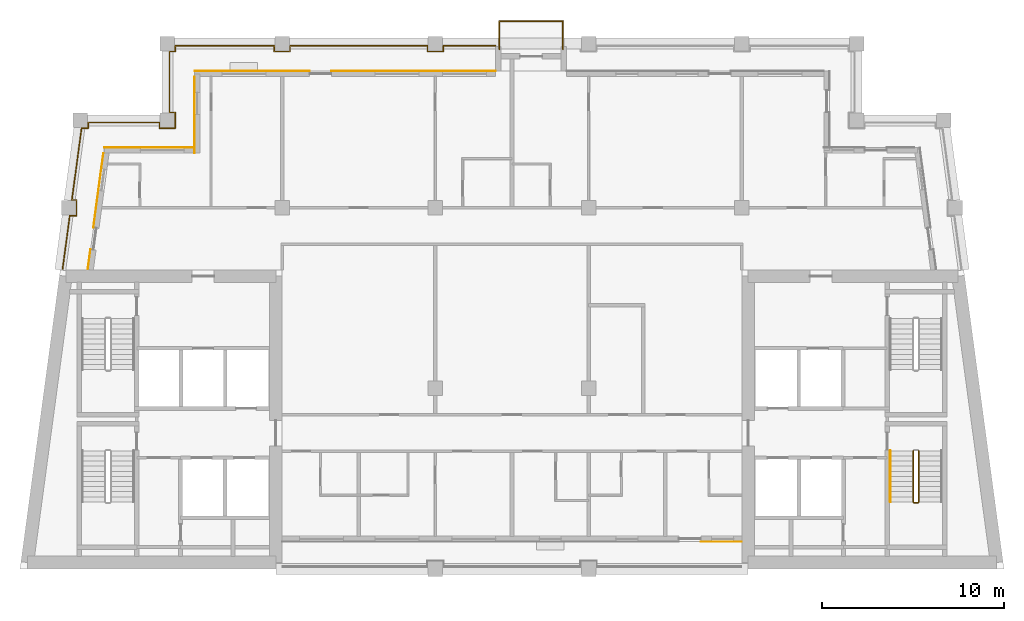
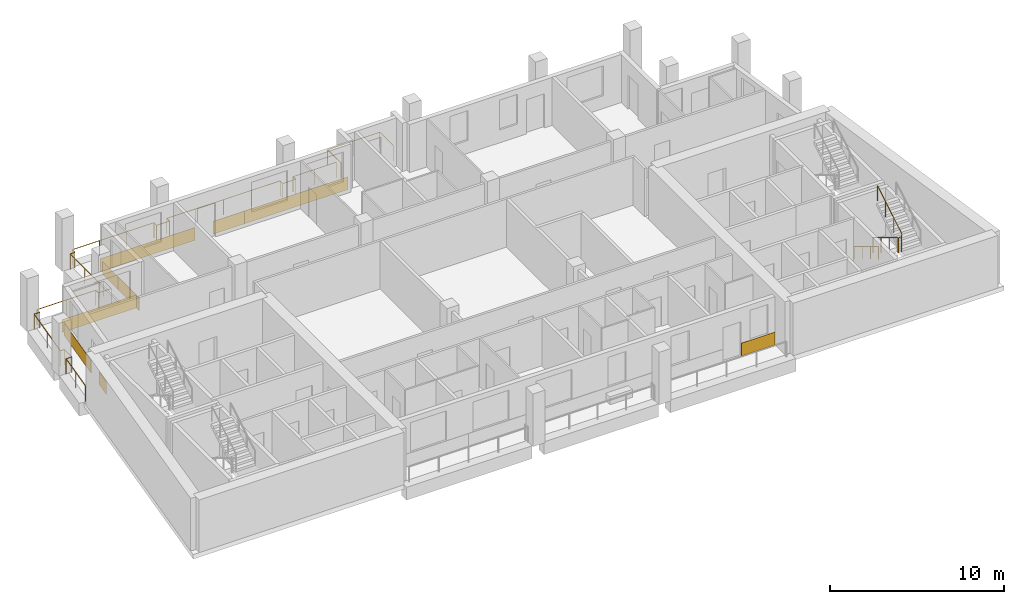
# One storey, part 8 of 10: 9 coverings, 5 railings.
"""IFC4 building model written with IfcOpenShell, lengths in metres."""

import ifcopenshell
import ifcopenshell.guid

model = None  # the IFC model being written
_history = None  # IfcOwnerHistory: only IFC2X3 demands one
_inside = {}  # id of a spatial element -> (the spatial element, [elements in it])
_under = {}  # id of a project, library or spatial element -> (it, [spatial elements below it])
_declared = {}  # id of a project -> (the project, [libraries it declares])
_typed = {}  # id of a type object -> (the type object, [elements of that type])
_made_of = {}  # id of a material, layer set ... -> (it, [elements and type objects made of it])


def new_model(schema):
    """Start an empty IFC model of exactly this schema.

    Asked for "IFC4X3", IfcOpenShell would pick the latest addendum, in which some entities
    have other attributes; the version numbers below select the first issue.
    IFC2X3 requires an IfcOwnerHistory on every rooted entity: one is made here for all.
    """
    global model, _history
    if schema == "IFC4X3":
        model = ifcopenshell.file(schema_version=(4, 3, 0, 0))
    else:
        model = ifcopenshell.file(schema=schema)
    _inside.clear()
    _under.clear()
    _declared.clear()
    _typed.clear()
    _made_of.clear()
    _history = None
    if model.schema == "IFC2X3":
        org = make("IfcOrganization", Name="unknown")
        user = make(
            "IfcPersonAndOrganization",
            ThePerson=make("IfcPerson", FamilyName="unknown"),
            TheOrganization=org,
        )
        app = make(
            "IfcApplication",
            ApplicationDeveloper=org,
            Version="unknown",
            ApplicationFullName="unknown",
            ApplicationIdentifier="unknown",
        )
        _history = make(
            "IfcOwnerHistory",
            OwningUser=user,
            OwningApplication=app,
            ChangeAction="ADDED",
            CreationDate=0,
        )
    return model


def make(cls, **values):
    """One entity of the class cls with the attributes given. An attribute that is None is left unset."""
    return model.create_entity(
        cls, **{name: value for name, value in values.items() if value is not None}
    )


def rooted(cls, **values):
    """An entity with a GlobalId (a new one), such as an element, a storey or a relation."""
    return make(cls, GlobalId=ifcopenshell.guid.new(), OwnerHistory=_history, **values)


def si_unit(unit_type, name, prefix=None):
    """IfcSIUnit, for example si_unit("LENGTHUNIT", "METRE", prefix="MILLI")."""
    return make("IfcSIUnit", UnitType=unit_type, Prefix=prefix, Name=name)


def assignment(units):
    """IfcUnitAssignment: the units of a project."""
    return None if units is None else make("IfcUnitAssignment", Units=units)


def point(xyz):
    """IfcCartesianPoint."""
    return None if xyz is None else make("IfcCartesianPoint", Coordinates=xyz)


def direction(xyz):
    """IfcDirection."""
    return None if xyz is None else make("IfcDirection", DirectionRatios=xyz)


def frame(location, z_axis=None, x_axis=None):
    """IfcAxis2Placement3D, a coordinate frame: its origin and axes. An axis left out is left unset."""
    return make(
        "IfcAxis2Placement3D",
        Location=point(location),
        Axis=direction(z_axis),
        RefDirection=direction(x_axis),
    )


def frame_2d(location, x_axis=None):
    """IfcAxis2Placement2D, a coordinate frame in the plane: its origin and x axis."""
    return make(
        "IfcAxis2Placement2D", Location=point(location), RefDirection=direction(x_axis)
    )


def origin():
    """The frame at (0, 0, 0) with its axes left unset."""
    return frame((0.0, 0.0, 0.0))


def origin_2d():
    """The frame at (0, 0) in the plane with its x axis left unset."""
    return frame_2d((0.0, 0.0))


def place(relative_to, where):
    """IfcLocalPlacement: puts the frame where relative to a parent placement (None: the world)."""
    return make(
        "IfcLocalPlacement", PlacementRelTo=relative_to, RelativePlacement=where
    )


def context(
    kind, dimensions, precision=None, world=None, true_north=None, identifier=None
):
    """IfcGeometricRepresentationContext, for example the 3D "Model" context."""
    return make(
        "IfcGeometricRepresentationContext",
        ContextIdentifier=identifier,
        ContextType=kind,
        CoordinateSpaceDimension=dimensions,
        Precision=precision,
        WorldCoordinateSystem=world,
        TrueNorth=true_north,
    )


def subcontext(parent, identifier, kind, view, scale=None):
    """IfcGeometricRepresentationSubContext, for example "Body" below "Model"."""
    return make(
        "IfcGeometricRepresentationSubContext",
        ContextIdentifier=identifier,
        ContextType=kind,
        ParentContext=parent,
        TargetScale=scale,
        TargetView=view,
    )


def project(units=None, contexts=None):
    """IfcProject with its units and contexts."""
    return rooted(
        "IfcProject",
        Name="project",
        RepresentationContexts=contexts,
        UnitsInContext=assignment(units),
    )


def spatial(cls, under=None, at=None, **own):
    """A site, building, storey or space (cls), placed at a placement, below another one or the project."""
    s = rooted(cls, ObjectPlacement=at, **own)
    if under is not None:
        _under.setdefault(under.id(), (under, []))[1].append(s)
    return s


def profile(cls, at=None, kind="AREA", **sizes):
    """A parametric profile (cls). Its sizes go by their IFC names, for example OverallWidth=200.0."""
    return make(cls, ProfileType=kind, Position=at, **sizes)


def rectangle(**sizes):
    """IfcRectangleProfileDef."""
    return profile("IfcRectangleProfileDef", **sizes)


def circle(**sizes):
    """IfcCircleProfileDef."""
    return profile("IfcCircleProfileDef", **sizes)


def extrude(swept, where, along, depth):
    """IfcExtrudedAreaSolid: the profile swept, set in the frame where, extruded along a direction by depth."""
    return make(
        "IfcExtrudedAreaSolid",
        SweptArea=swept,
        Position=where,
        ExtrudedDirection=direction(along),
        Depth=depth,
    )


def shape(context_of_items, identifier, shape_type, items):
    """IfcShapeRepresentation: the items that make up one representation, for example the "Body"."""
    return make(
        "IfcShapeRepresentation",
        ContextOfItems=context_of_items,
        RepresentationIdentifier=identifier,
        RepresentationType=shape_type,
        Items=items,
    )


def material(Name=None, Category=None):
    """IfcMaterial."""
    return make("IfcMaterial", Name=Name, Category=Category)


def layer(
    of_material, thickness, ventilated=None, Name=None, Category=None, Priority=None
):
    """IfcMaterialLayer: one layer of a wall or slab, of a material (None: an air gap)."""
    return make(
        "IfcMaterialLayer",
        Material=of_material,
        LayerThickness=thickness,
        IsVentilated=ventilated,
        Name=Name,
        Category=Category,
        Priority=Priority,
    )


def layer_set(layers, Name=None):
    """IfcMaterialLayerSet."""
    return make("IfcMaterialLayerSet", MaterialLayers=layers, LayerSetName=Name)


def made_of(thing, what):
    """Note that an element or type object is made of a material, layer set ...; save() writes the relation."""
    if what is not None:
        _made_of.setdefault(what.id(), (what, []))[1].append(thing)
    return thing


def type_object(cls, material=None, **own):
    """A type object (cls), such as IfcWallType, which elements share."""
    return made_of(rooted(cls, **own), material)


def element(
    cls,
    number,
    at=None,
    inside=None,
    cuts=None,
    type_object=None,
    material=None,
    context=None,
    identifier="Body",
    shape_type=None,
    held_by="IfcProductDefinitionShape",
    body=None,
    shapes=None,
    **own,
):
    """One element of the class cls, such as IfcWall. Its Tag is "e" and its number.

    at: its placement. inside: the storey or other place that contains it. cuts: it is an
    opening in that element (IfcRelVoidsElement). A single representation is given by context,
    identifier, shape_type and body (its items); several are given by shapes. held_by: the class
    of the entity that holds the representations. save() writes the other relations.
    """
    e = rooted(cls, Tag="e%d" % number, ObjectPlacement=at, **own)
    if body is not None:
        shapes = [shape(context, identifier, shape_type, body)]
    if shapes is not None:
        e.Representation = make(held_by, Representations=shapes)
    if inside is not None:
        _inside.setdefault(inside.id(), (inside, []))[1].append(e)
    if cuts is not None:
        rooted(
            "IfcRelVoidsElement", RelatingBuildingElement=cuts, RelatedOpeningElement=e
        )
    if type_object is not None:
        _typed.setdefault(type_object.id(), (type_object, []))[1].append(e)
    return made_of(e, material)


def aggregate(whole, parts):
    """IfcRelAggregates: a whole, such as a stair, and the parts it consists of."""
    return rooted("IfcRelAggregates", RelatingObject=whole, RelatedObjects=parts)


def save(model, path):
    """Write the relations noted so far, then the file.

    IfcRelAggregates (storeys below a building ...), IfcRelContainedInSpatialStructure (elements
    in a storey), IfcRelDefinesByType, IfcRelAssociatesMaterial and IfcRelDeclares: one each for
    every whole, place, type object, material and project.
    """
    for whole, parts in _under.values():
        aggregate(whole, parts)
    for where, things in _inside.values():
        rooted(
            "IfcRelContainedInSpatialStructure",
            RelatedElements=things,
            RelatingStructure=where,
        )
    for kind, things in _typed.values():
        rooted("IfcRelDefinesByType", RelatedObjects=things, RelatingType=kind)
    for what, things in _made_of.values():
        rooted("IfcRelAssociatesMaterial", RelatedObjects=things, RelatingMaterial=what)
    for by, libraries in _declared.values():
        rooted("IfcRelDeclares", RelatingContext=by, RelatedDefinitions=libraries)
    model.write(path)


model = new_model("IFC4")

# Units and contexts
model_context = context("Model", 3, precision=1e-05, world=origin(), true_north=direction((0.0, 1.0)))
body_context = subcontext(model_context, "Body", "Model", "MODEL_VIEW")
ifc_project = project(units=[si_unit("LENGTHUNIT", "METRE"), si_unit("AREAUNIT", "SQUARE_METRE"), si_unit("VOLUMEUNIT", "CUBIC_METRE"), si_unit("PLANEANGLEUNIT", "RADIAN"), si_unit("MASSUNIT", "GRAM", prefix="KILO")], contexts=[model_context])

# Site, building, storey
site_placement = place(None, origin())
site = spatial("IfcSite", under=ifc_project, at=site_placement, CompositionType="ELEMENT")
building_placement = place(site_placement, origin())
building = spatial("IfcBuilding", under=site, at=building_placement, Name="Candeia Pilgrim Tower and Theatre", CompositionType="ELEMENT")
storey_placement = place(building_placement, frame((0.0, 0.0, 284.89990234375)))
storey = spatial("IfcBuildingStorey", under=building, at=storey_placement, Name="L69", CompositionType="ELEMENT", Elevation=284.89990234375)

# Railings
ifc_material_1 = material(Name="Stainless steel balustrade", Category="steel")
railing_type_1 = type_object("IfcRailingType", Name="G1 loggia guard 1100", PredefinedType="GUARDRAIL", material=ifc_material_1)
railing_1_placement = place(storey_placement, frame((94.070068359375, 140.47998046875, 0.0)))
element("IfcRailing", 1, at=railing_1_placement, inside=storey, type_object=railing_type_1, Name="Guard L69.1", PredefinedType="GUARDRAIL", context=body_context, shape_type="SweptSolid", body=[
    extrude(circle(Radius=0.02392578125, at=origin_2d()), frame((0.0, 0.0, 1.076171875), z_axis=(0.0, -1.0, 0.0), x_axis=(1.0, 0.0, 0.0)), (0.0, 0.0, 1.0), 0.31005859375),
    extrude(circle(Radius=0.02392578125, at=origin_2d()), frame((0.0, -0.31005859375, 1.076171875), z_axis=(1.0, 0.0, 0.0), x_axis=(0.0, 1.0, 0.0)), (0.0, 0.0, 1.0), 0.85986328125),
    extrude(circle(Radius=0.02392578125, at=origin_2d()), frame((0.85986328125, -0.31005859375, 1.076171875), z_axis=(0.0, 1.0, 0.0), x_axis=(-1.0, 0.0, 0.0)), (0.0, 0.0, 1.0), 0.860107421875),
    extrude(circle(Radius=0.02392578125, at=origin_2d()), frame((0.85986328125, 0.550048828125, 1.076171875), z_axis=(-1.0, 0.0, 0.0), x_axis=(0.0, -1.0, 0.0)), (0.0, 0.0, 1.0), 0.309814453125),
    extrude(circle(Radius=0.02392578125, at=origin_2d()), frame((0.550048828125, 0.550048828125, 1.076171875), z_axis=(0.0, 1.0, 0.0), x_axis=(-1.0, 0.0, 0.0)), (0.0, 0.0, 1.0), 3.340087890625),
    extrude(circle(Radius=0.02392578125, at=origin_2d()), frame((0.550048828125, 3.89013671875, 1.076171875), z_axis=(1.0, 0.0, 0.0), x_axis=(0.0, 1.0, 0.0)), (0.0, 0.0, 1.0), 0.309814453125),
    extrude(circle(Radius=0.02392578125, at=origin_2d()), frame((0.85986328125, 3.89013671875, 1.076171875), z_axis=(0.0, 1.0, 0.0), x_axis=(-1.0, 0.0, 0.0)), (0.0, 0.0, 1.0), 0.309814453125),
    extrude(circle(Radius=0.02392578125, at=origin_2d()), frame((0.85986328125, 4.199951171875, 1.076171875), z_axis=(1.0, 0.0, 0.0), x_axis=(0.0, 1.0, 0.0)), (0.0, 0.0, 1.0), 5.440185546875),
    extrude(circle(Radius=0.02392578125, at=origin_2d()), frame((6.300048828125, 4.199951171875, 1.076171875), z_axis=(0.0, -1.0, 0.0), x_axis=(1.0, 0.0, 0.0)), (0.0, 0.0, 1.0), 0.309814453125),
    extrude(circle(Radius=0.02392578125, at=origin_2d()), frame((6.300048828125, 3.89013671875, 1.076171875), z_axis=(1.0, 0.0, 0.0), x_axis=(0.0, 1.0, 0.0)), (0.0, 0.0, 1.0), 0.85986328125),
    extrude(circle(Radius=0.02392578125, at=origin_2d()), frame((7.159912109375, 3.89013671875, 1.076171875), z_axis=(0.0, 1.0, 0.0), x_axis=(-1.0, 0.0, 0.0)), (0.0, 0.0, 1.0), 0.309814453125),
    extrude(circle(Radius=0.02392578125, at=origin_2d()), frame((7.159912109375, 4.199951171875, 1.076171875), z_axis=(1.0, 0.0, 0.0), x_axis=(0.0, 1.0, 0.0)), (0.0, 0.0, 1.0), 7.5400390625),
    extrude(circle(Radius=0.02392578125, at=origin_2d()), frame((14.699951171875, 4.199951171875, 1.076171875), z_axis=(0.0, -1.0, 0.0), x_axis=(1.0, 0.0, 0.0)), (0.0, 0.0, 1.0), 0.309814453125),
    extrude(circle(Radius=0.02392578125, at=origin_2d()), frame((14.699951171875, 3.89013671875, 1.076171875), z_axis=(1.0, 0.0, 0.0), x_axis=(0.0, 1.0, 0.0)), (0.0, 0.0, 1.0), 0.85986328125),
    extrude(circle(Radius=0.02392578125, at=origin_2d()), frame((15.559814453125, 3.89013671875, 1.076171875), z_axis=(0.0, 1.0, 0.0), x_axis=(-1.0, 0.0, 0.0)), (0.0, 0.0, 1.0), 0.309814453125),
    extrude(circle(Radius=0.02392578125, at=origin_2d()), frame((15.559814453125, 4.199951171875, 1.076171875), z_axis=(1.0, 0.0, 0.0), x_axis=(0.0, 1.0, 0.0)), (0.0, 0.0, 1.0), 2.8701171875),
    extrude(circle(Radius=0.02099609375, at=origin_2d()), origin(), (0.0, 0.0, 1.0), 1.052001953125),
    extrude(circle(Radius=0.02099609375, at=origin_2d()), frame((0.0, -0.31005859375, 0.0)), (0.0, 0.0, 1.0), 1.052001953125),
    extrude(circle(Radius=0.02099609375, at=origin_2d()), frame((0.85986328125, -0.31005859375, 0.0)), (0.0, 0.0, 1.0), 1.052001953125),
    extrude(circle(Radius=0.02099609375, at=origin_2d()), frame((0.85986328125, 0.550048828125, 0.0)), (0.0, 0.0, 1.0), 1.052001953125),
    extrude(circle(Radius=0.02099609375, at=origin_2d()), frame((0.550048828125, 0.550048828125, 0.0)), (0.0, 0.0, 1.0), 1.052001953125),
    extrude(circle(Radius=0.02099609375, at=origin_2d()), frame((0.550048828125, 2.22021484375, 0.0)), (0.0, 0.0, 1.0), 1.052001953125),
    extrude(circle(Radius=0.02099609375, at=origin_2d()), frame((0.550048828125, 3.89013671875, 0.0)), (0.0, 0.0, 1.0), 1.052001953125),
    extrude(circle(Radius=0.02099609375, at=origin_2d()), frame((0.85986328125, 3.89013671875, 0.0)), (0.0, 0.0, 1.0), 1.052001953125),
    extrude(circle(Radius=0.02099609375, at=origin_2d()), frame((0.85986328125, 4.199951171875, 0.0)), (0.0, 0.0, 1.0), 1.052001953125),
    extrude(circle(Radius=0.02099609375, at=origin_2d()), frame((2.67333984375, 4.199951171875, 0.0)), (0.0, 0.0, 1.0), 1.052001953125),
    extrude(circle(Radius=0.02099609375, at=origin_2d()), frame((4.486572265625, 4.199951171875, 0.0)), (0.0, 0.0, 1.0), 1.052001953125),
    extrude(circle(Radius=0.02099609375, at=origin_2d()), frame((6.300048828125, 4.199951171875, 0.0)), (0.0, 0.0, 1.0), 1.052001953125),
    extrude(circle(Radius=0.02099609375, at=origin_2d()), frame((6.300048828125, 3.89013671875, 0.0)), (0.0, 0.0, 1.0), 1.052001953125),
    extrude(circle(Radius=0.02099609375, at=origin_2d()), frame((7.159912109375, 3.89013671875, 0.0)), (0.0, 0.0, 1.0), 1.052001953125),
    extrude(circle(Radius=0.02099609375, at=origin_2d()), frame((7.159912109375, 4.199951171875, 0.0)), (0.0, 0.0, 1.0), 1.052001953125),
    extrude(circle(Radius=0.02099609375, at=origin_2d()), frame((9.044921875, 4.199951171875, 0.0)), (0.0, 0.0, 1.0), 1.052001953125),
    extrude(circle(Radius=0.02099609375, at=origin_2d()), frame((10.929931640625, 4.199951171875, 0.0)), (0.0, 0.0, 1.0), 1.052001953125),
    extrude(circle(Radius=0.02099609375, at=origin_2d()), frame((12.81494140625, 4.199951171875, 0.0)), (0.0, 0.0, 1.0), 1.052001953125),
    extrude(circle(Radius=0.02099609375, at=origin_2d()), frame((14.699951171875, 4.199951171875, 0.0)), (0.0, 0.0, 1.0), 1.052001953125),
    extrude(circle(Radius=0.02099609375, at=origin_2d()), frame((14.699951171875, 3.89013671875, 0.0)), (0.0, 0.0, 1.0), 1.052001953125),
    extrude(circle(Radius=0.02099609375, at=origin_2d()), frame((15.559814453125, 3.89013671875, 0.0)), (0.0, 0.0, 1.0), 1.052001953125),
    extrude(circle(Radius=0.02099609375, at=origin_2d()), frame((15.559814453125, 4.199951171875, 0.0)), (0.0, 0.0, 1.0), 1.052001953125),
    extrude(circle(Radius=0.02099609375, at=origin_2d()), frame((16.994873046875, 4.199951171875, 0.0)), (0.0, 0.0, 1.0), 1.052001953125),
    extrude(circle(Radius=0.02099609375, at=origin_2d()), frame((18.429931640625, 4.199951171875, 0.0)), (0.0, 0.0, 1.0), 1.052001953125),
])
railing_2_placement = place(storey_placement, frame((88.758544921875, 132.449951171875, 0.0)))
element("IfcRailing", 2, at=railing_2_placement, inside=storey, type_object=railing_type_1, Name="Guard L69.4", PredefinedType="GUARDRAIL", context=body_context, shape_type="SweptSolid", body=[
    extrude(circle(Radius=0.02392578125, at=origin_2d()), frame((0.0, 0.0, 1.076171875), z_axis=(0.133401056725, 0.991062136329, 0.0), x_axis=(-0.991062136329, 0.133401056725, 0.0)), (0.0, 0.0, 1.0), 2.946533203125),
    extrude(circle(Radius=0.02392578125, at=origin_2d()), frame((0.39306640625, 2.920166015625, 1.076171875), z_axis=(1.0, 0.0, 0.0), x_axis=(0.0, 1.0, 0.0)), (0.0, 0.0, 1.0), 0.366943359375),
    extrude(circle(Radius=0.02392578125, at=origin_2d()), frame((0.760009765625, 2.920166015625, 1.076171875), z_axis=(0.0, 1.0, 0.0), x_axis=(-1.0, 0.0, 0.0)), (0.0, 0.0, 1.0), 0.85986328125),
    extrude(circle(Radius=0.02392578125, at=origin_2d()), frame((0.760009765625, 3.780029296875, 1.076171875), z_axis=(-1.0, 0.0, 0.0), x_axis=(0.0, -1.0, 0.0)), (0.0, 0.0, 1.0), 0.251220703125),
    extrude(circle(Radius=0.02392578125, at=origin_2d()), frame((0.5087890625, 3.780029296875, 1.076171875), z_axis=(0.133446811067, 0.99105597653, 0.0), x_axis=(-0.99105597653, 0.133446811067, 0.0)), (0.0, 0.0, 1.0), 3.9755859375),
    extrude(circle(Radius=0.02392578125, at=origin_2d()), frame((1.039306640625, 7.719970703125, 1.076171875), z_axis=(1.0, 0.0, 0.0), x_axis=(0.0, 1.0, 0.0)), (0.0, 0.0, 1.0), 0.36669921875),
    extrude(circle(Radius=0.02392578125, at=origin_2d()), frame((1.406005859375, 7.719970703125, 1.076171875), z_axis=(0.0, 1.0, 0.0), x_axis=(-1.0, 0.0, 0.0)), (0.0, 0.0, 1.0), 0.31005859375),
    extrude(circle(Radius=0.02392578125, at=origin_2d()), frame((1.406005859375, 8.030029296875, 1.076171875), z_axis=(1.0, 0.0, 0.0), x_axis=(0.0, 1.0, 0.0)), (0.0, 0.0, 1.0), 3.905517578125),
    extrude(circle(Radius=0.02099609375, at=origin_2d()), origin(), (0.0, 0.0, 1.0), 1.052001953125),
    extrude(circle(Radius=0.02099609375, at=origin_2d()), frame((0.196533203125, 1.4599609375, 0.0)), (0.0, 0.0, 1.0), 1.052001953125),
    extrude(circle(Radius=0.02099609375, at=origin_2d()), frame((0.39306640625, 2.920166015625, 0.0)), (0.0, 0.0, 1.0), 1.052001953125),
    extrude(circle(Radius=0.02099609375, at=origin_2d()), frame((0.760009765625, 2.920166015625, 0.0)), (0.0, 0.0, 1.0), 1.052001953125),
    extrude(circle(Radius=0.02099609375, at=origin_2d()), frame((0.760009765625, 3.780029296875, 0.0)), (0.0, 0.0, 1.0), 1.052001953125),
    extrude(circle(Radius=0.02099609375, at=origin_2d()), frame((0.5087890625, 3.780029296875, 0.0)), (0.0, 0.0, 1.0), 1.052001953125),
    extrude(circle(Radius=0.02099609375, at=origin_2d()), frame((0.77392578125, 5.75, 0.0)), (0.0, 0.0, 1.0), 1.052001953125),
    extrude(circle(Radius=0.02099609375, at=origin_2d()), frame((1.039306640625, 7.719970703125, 0.0)), (0.0, 0.0, 1.0), 1.052001953125),
    extrude(circle(Radius=0.02099609375, at=origin_2d()), frame((1.406005859375, 7.719970703125, 0.0)), (0.0, 0.0, 1.0), 1.052001953125),
    extrude(circle(Radius=0.02099609375, at=origin_2d()), frame((1.406005859375, 8.030029296875, 0.0)), (0.0, 0.0, 1.0), 1.052001953125),
    extrude(circle(Radius=0.02099609375, at=origin_2d()), frame((3.35888671875, 8.030029296875, 0.0)), (0.0, 0.0, 1.0), 1.052001953125),
    extrude(circle(Radius=0.02099609375, at=origin_2d()), frame((5.3115234375, 8.030029296875, 0.0)), (0.0, 0.0, 1.0), 1.052001953125),
])
railing_3_placement = place(storey_placement, frame((112.7099609375, 144.5, 0.0)))
element("IfcRailing", 3, at=railing_3_placement, inside=storey, type_object=railing_type_1, Name="Balcony guard L69", PredefinedType="GUARDRAIL", context=body_context, shape_type="SweptSolid", body=[
    extrude(circle(Radius=0.02392578125, at=origin_2d()), frame((0.0, 0.0, 1.076171875), z_axis=(0.0, 1.0, 0.0), x_axis=(-1.0, 0.0, 0.0)), (0.0, 0.0, 1.0), 1.5400390625),
    extrude(circle(Radius=0.02392578125, at=origin_2d()), frame((0.0, 1.5400390625, 1.076171875), z_axis=(1.0, 0.0, 0.0), x_axis=(0.0, 1.0, 0.0)), (0.0, 0.0, 1.0), 3.47998046875),
    extrude(circle(Radius=0.02392578125, at=origin_2d()), frame((3.47998046875, 1.5400390625, 1.076171875), z_axis=(0.0, -1.0, 0.0), x_axis=(1.0, 0.0, 0.0)), (0.0, 0.0, 1.0), 1.5400390625),
    extrude(circle(Radius=0.02099609375, at=origin_2d()), origin(), (0.0, 0.0, 1.0), 1.052001953125),
    extrude(circle(Radius=0.02099609375, at=origin_2d()), frame((0.0, 1.5400390625, 0.0)), (0.0, 0.0, 1.0), 1.052001953125),
    extrude(circle(Radius=0.02099609375, at=origin_2d()), frame((1.739990234375, 1.5400390625, 0.0)), (0.0, 0.0, 1.0), 1.052001953125),
    extrude(circle(Radius=0.02099609375, at=origin_2d()), frame((3.47998046875, 1.5400390625, 0.0)), (0.0, 0.0, 1.0), 1.052001953125),
    extrude(circle(Radius=0.02099609375, at=origin_2d()), frame((3.47998046875, 0.0, 0.0)), (0.0, 0.0, 1.0), 1.052001953125),
])

# Coverings
ifc_material_2 = material(Name="Glazed ceramic tile bottle green")
ifc_layer_1 = layer(ifc_material_2, 0.02001953125)
ifc_layer_set_1 = layer_set([ifc_layer_1], Name="Glazed ceramic tile bottle green")
covering_type_1 = type_object("IfcCoveringType", Name="Glazed ceramic tile bottle green", PredefinedType="CLADDING", material=ifc_layer_set_1)
covering_1_placement = place(storey_placement, frame((104.550048828125, 143.31005859375, 0.000244140625), z_axis=(0.0, 0.0, 1.0), x_axis=(-1.0, 0.0, 0.0)))
element("IfcCovering", 4, at=covering_1_placement, inside=storey, type_object=covering_type_1, Name="Tile cladding bottle green L69", PredefinedType="CLADDING", context=body_context, shape_type="SweptSolid", body=[
    extrude(rectangle(XDim=2.10009765625, YDim=0.02001953125, at=origin_2d()), origin(), (0.0, 0.0, 1.0), 0.89990234375),
])
covering_2_placement = place(storey_placement, frame((99.14990234375, 143.31005859375, 0.000244140625), z_axis=(0.0, 0.0, 1.0), x_axis=(-1.0, 0.0, 0.0)))
element("IfcCovering", 5, at=covering_2_placement, inside=storey, type_object=covering_type_1, Name="Tile cladding bottle green L69", PredefinedType="CLADDING", context=body_context, shape_type="SweptSolid", body=[
    extrude(rectangle(XDim=6.300048828125, YDim=0.02001953125, at=origin_2d()), origin(), (0.0, 0.0, 1.0), 0.89990234375),
])
covering_3_placement = place(storey_placement, frame((95.989990234375, 142.090087890625, 0.000244140625), z_axis=(0.0, 0.0, 1.0), x_axis=(0.0, -1.0, 0.0)))
element("IfcCovering", 6, at=covering_3_placement, inside=storey, type_object=covering_type_1, Name="Tile cladding bottle green L69", PredefinedType="CLADDING", context=body_context, shape_type="SweptSolid", body=[
    extrude(rectangle(XDim=1.780029296875, YDim=0.02001953125, at=origin_2d()), origin(), (0.0, 0.0, 1.0), 0.89990234375),
])
covering_4_placement = place(storey_placement, frame((93.51318359375, 139.110107421875, 0.000244140625), z_axis=(0.0, 0.0, 1.0), x_axis=(-1.0, 0.0, 0.0)))
element("IfcCovering", 7, at=covering_4_placement, inside=storey, type_object=covering_type_1, Name="Tile cladding bottle green L69", PredefinedType="CLADDING", context=body_context, shape_type="SweptSolid", body=[
    extrude(rectangle(XDim=4.933837890625, YDim=0.02001953125, at=origin_2d()), origin(), (0.0, 0.0, 1.0), 0.89990234375),
])
ifc_material_3 = material(Name="Glazed ceramic tile rust")
ifc_layer_2 = layer(ifc_material_3, 0.02001953125)
ifc_layer_set_2 = layer_set([ifc_layer_2], Name="Glazed ceramic tile rust")
covering_type_2 = type_object("IfcCoveringType", Name="Glazed ceramic tile rust", PredefinedType="CLADDING", material=ifc_layer_set_2)
covering_5_placement = place(storey_placement, frame((90.720947265625, 136.759521484375, 0.000244140625), z_axis=(0.0, 0.0, 1.0), x_axis=(-0.133412012145, -0.991060661622, 0.0)))
element("IfcCovering", 8, at=covering_5_placement, inside=storey, type_object=covering_type_2, Name="Tile cladding rust L69", PredefinedType="CLADDING", context=body_context, shape_type="SweptSolid", body=[
    extrude(rectangle(XDim=4.123779296875, YDim=0.02001953125, at=origin_2d()), origin(), (0.0, 0.0, 1.0), 0.89990234375),
])
covering_6_placement = place(storey_placement, frame((90.21142578125, 132.97412109375, 0.000244140625), z_axis=(0.0, 0.0, 1.0), x_axis=(-0.133412012145, -0.991060661622, 0.0)))
element("IfcCovering", 9, at=covering_6_placement, inside=storey, type_object=covering_type_2, Name="Tile cladding rust L69", PredefinedType="CLADDING", context=body_context, shape_type="SweptSolid", body=[
    extrude(rectangle(XDim=1.115234375, YDim=0.02001953125, at=origin_2d()), origin(), (0.0, 0.0, 1.0), 0.89990234375),
])
covering_7_placement = place(storey_placement, frame((124.875, 117.489990234375, 0.000244140625), z_axis=(0.0, 0.0, 1.0), x_axis=(1.0, 0.0, 0.0)))
element("IfcCovering", 10, at=covering_7_placement, inside=storey, type_object=covering_type_2, Name="Tile cladding rust L69", PredefinedType="CLADDING", context=body_context, shape_type="SweptSolid", body=[
    extrude(rectangle(XDim=2.25, YDim=0.02001953125, at=origin_2d()), origin(), (0.0, 0.0, 1.0), 0.89990234375),
])
covering_8_placement = place(storey_placement, frame((109.050048828125, 143.31005859375, 0.000244140625), z_axis=(0.0, 0.0, 1.0), x_axis=(-1.0, 0.0, 0.0)))
element("IfcCovering", 11, at=covering_8_placement, inside=storey, type_object=covering_type_2, Name="Tile cladding rust L69", PredefinedType="CLADDING", context=body_context, shape_type="SweptSolid", body=[
    extrude(rectangle(XDim=6.89990234375, YDim=0.02001953125, at=origin_2d()), origin(), (0.0, 0.0, 1.0), 0.89990234375),
])
covering_9_placement = place(storey_placement, frame((95.989990234375, 140.0, 0.000244140625), z_axis=(0.0, 0.0, 1.0), x_axis=(0.0, -1.0, 0.0)))
element("IfcCovering", 12, at=covering_9_placement, inside=storey, type_object=covering_type_2, Name="Tile cladding rust L69", PredefinedType="CLADDING", context=body_context, shape_type="SweptSolid", body=[
    extrude(rectangle(XDim=2.39990234375, YDim=0.02001953125, at=origin_2d()), origin(), (0.0, 0.0, 1.0), 0.89990234375),
])

# Railings
railing_type_2 = type_object("IfcRailingType", Name="RL-GUARD-1100", PredefinedType="GUARDRAIL", material=ifc_material_1)
railing_4_placement = place(storey_placement, frame((135.39794921875, 122.47509765625, 0.168212890625)))
element("IfcRailing", 13, at=railing_4_placement, inside=storey, type_object=railing_type_2, Name="L69 ST3 stair guard 1", PredefinedType="GUARDRAIL", context=body_context, shape_type="SweptSolid", body=[
    extrude(circle(Radius=0.02392578125, at=origin_2d()), frame((0.0, 0.0, 1.076171875), z_axis=(0.0, -0.857242210791, 0.514913383045), x_axis=(1.0, 0.0, 0.0)), (0.0, 0.0, 1.0), 3.266357421875),
    extrude(circle(Radius=0.02392578125, at=origin_2d()), frame((0.0, -2.800048828125, 2.7578125), z_axis=(0.707106781187, -0.707106781187, 0.0), x_axis=(0.707106781187, 0.707106781187, 0.0)), (0.0, 0.0, 1.0), 0.07080078125),
    extrude(circle(Radius=0.02392578125, at=origin_2d()), frame((0.050048828125, -2.85009765625, 2.7578125), z_axis=(1.0, 0.0, 0.0), x_axis=(0.0, 1.0, 0.0)), (0.0, 0.0, 1.0), 0.199951171875),
    extrude(circle(Radius=0.02392578125, at=origin_2d()), frame((0.25, -2.85009765625, 2.7578125), z_axis=(0.274243871929, 0.274243871929, 0.92172696468), x_axis=(-0.707106781187, 0.707106781187, 0.0)), (0.0, 0.0, 1.0), 0.1826171875),
    extrude(circle(Radius=0.02392578125, at=origin_2d()), frame((0.300048828125, -2.800048828125, 2.92626953125), z_axis=(0.0, 0.857242210791, 0.514913383045), x_axis=(-1.0, 0.0, 0.0)), (0.0, 0.0, 1.0), 3.266357421875),
    extrude(circle(Radius=0.02099609375, at=origin_2d()), origin(), (0.0, 0.0, 1.0), 1.052001953125),
    extrude(circle(Radius=0.02099609375, at=origin_2d()), frame((0.0, -0.933349609375, 0.560546875)), (0.0, 0.0, 1.0), 1.052001953125),
    extrude(circle(Radius=0.02099609375, at=origin_2d()), frame((0.0, -1.86669921875, 1.121337890625)), (0.0, 0.0, 1.0), 1.052001953125),
    extrude(circle(Radius=0.02099609375, at=origin_2d()), frame((0.0, -2.800048828125, 1.681884765625)), (0.0, 0.0, 1.0), 1.052001953125),
    extrude(circle(Radius=0.02099609375, at=origin_2d()), frame((0.050048828125, -2.85009765625, 1.681884765625)), (0.0, 0.0, 1.0), 1.052001953125),
    extrude(circle(Radius=0.02099609375, at=origin_2d()), frame((0.25, -2.85009765625, 1.681884765625)), (0.0, 0.0, 1.0), 1.052001953125),
    extrude(circle(Radius=0.02099609375, at=origin_2d()), frame((0.300048828125, -2.800048828125, 1.85009765625)), (0.0, 0.0, 1.0), 1.052001953125),
    extrude(circle(Radius=0.02099609375, at=origin_2d()), frame((0.300048828125, -1.86669921875, 2.41064453125)), (0.0, 0.0, 1.0), 1.052001953125),
    extrude(circle(Radius=0.02099609375, at=origin_2d()), frame((0.300048828125, -0.933349609375, 2.971435546875)), (0.0, 0.0, 1.0), 1.052001953125),
    extrude(circle(Radius=0.02099609375, at=origin_2d()), frame((0.300048828125, 0.0, 3.531982421875)), (0.0, 0.0, 1.0), 1.052001953125),
])
ifc_material_4 = material(Name="Stainless steel handrail", Category="steel")
railing_type_3 = type_object("IfcRailingType", Name="RL-HANDRAIL-900", PredefinedType="HANDRAIL", material=ifc_material_4)
railing_5_placement = place(storey_placement, frame((134.14794921875, 122.47509765625, 0.168212890625)))
element("IfcRailing", 14, at=railing_5_placement, inside=storey, type_object=railing_type_3, Name="L69 ST3 stair handrail 1", PredefinedType="HANDRAIL", context=body_context, shape_type="SweptSolid", body=[
    extrude(circle(Radius=0.02392578125, at=origin_2d()), frame((0.0, 0.0, 0.8759765625), z_axis=(0.0, -0.857242210791, 0.514913383045), x_axis=(1.0, 0.0, 0.0)), (0.0, 0.0, 1.0), 3.266357421875),
    extrude(circle(Radius=0.02099609375, at=origin_2d()), origin(), (0.0, 0.0, 1.0), 0.851806640625),
    extrude(circle(Radius=0.02099609375, at=origin_2d()), frame((0.0, -0.933349609375, 0.560546875)), (0.0, 0.0, 1.0), 0.851806640625),
    extrude(circle(Radius=0.02099609375, at=origin_2d()), frame((0.0, -1.86669921875, 1.121337890625)), (0.0, 0.0, 1.0), 0.851806640625),
    extrude(circle(Radius=0.02099609375, at=origin_2d()), frame((0.0, -2.800048828125, 1.681884765625)), (0.0, 0.0, 1.0), 0.851806640625),
])

save(model, "model.ifc")
